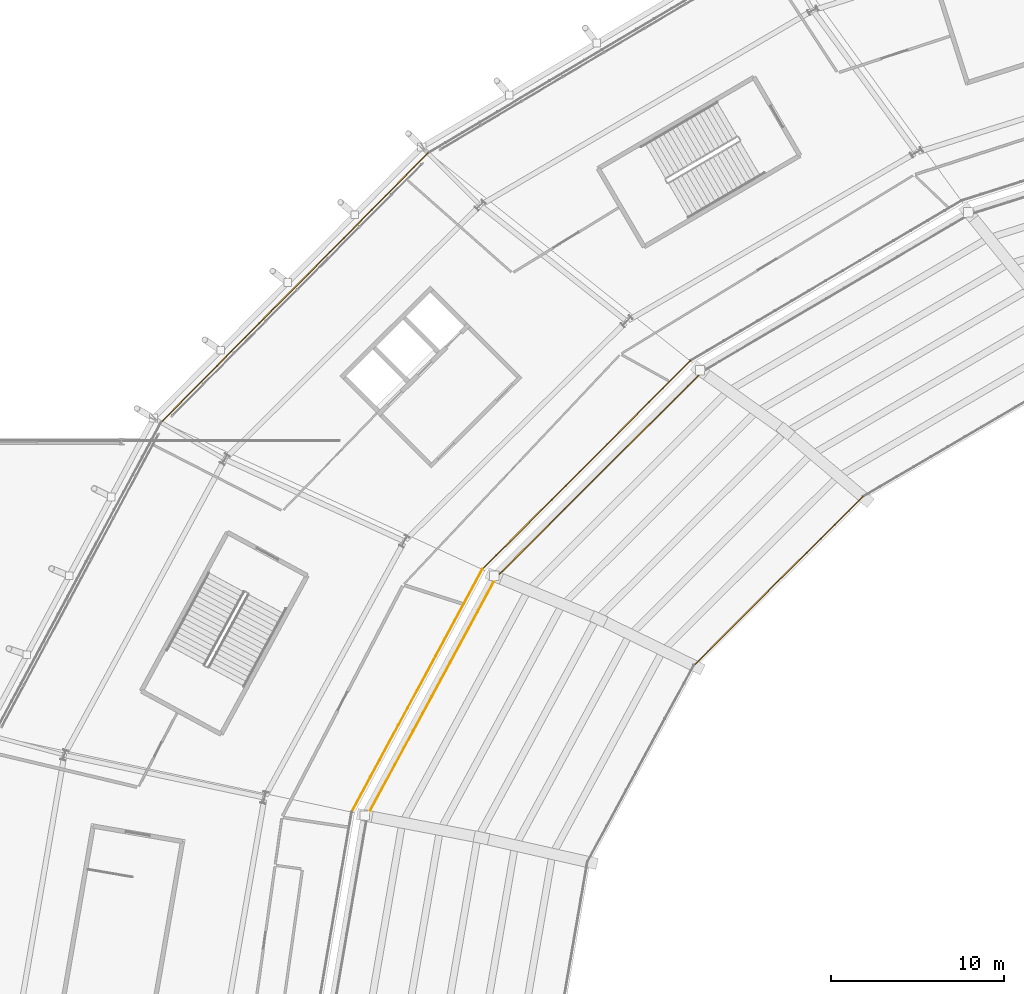
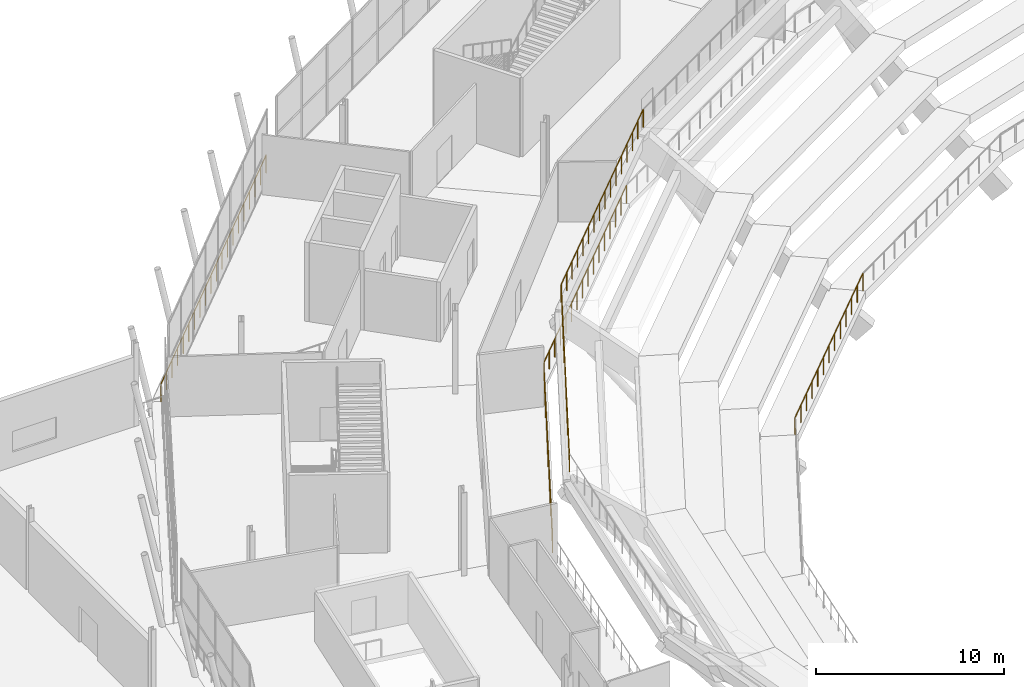
# One storey, part 114 of 126: 6 railings.
"""IFC4 building model written with IfcOpenShell, lengths in metres."""

from ifc_helpers import new_model, si_unit, direction, frame, origin, origin_2d, place, context, subcontext, project, spatial, rectangle, extrude, material, type_object, element, save


model = new_model("IFC4")

# Units and contexts
model_context = context("Model", 3, precision=1e-05, world=origin(), true_north=direction((0.0, 1.0)))
body_context = subcontext(model_context, "Body", "Model", "MODEL_VIEW")
ifc_project = project(units=[si_unit("LENGTHUNIT", "METRE"), si_unit("AREAUNIT", "SQUARE_METRE"), si_unit("VOLUMEUNIT", "CUBIC_METRE"), si_unit("PLANEANGLEUNIT", "RADIAN"), si_unit("MASSUNIT", "GRAM", prefix="KILO")], contexts=[model_context])

# Site, building, storey
site_placement = place(None, origin())
site = spatial("IfcSite", under=ifc_project, at=site_placement, CompositionType="ELEMENT")
building_placement = place(site_placement, origin())
building = spatial("IfcBuilding", under=site, at=building_placement, Name="Zlatoyarsky Gate Stadium", CompositionType="ELEMENT")
storey_placement = place(building_placement, frame((0.0, 0.0, 20.800048828125)))
storey = spatial("IfcBuildingStorey", under=building, at=storey_placement, Name="L04", CompositionType="ELEMENT", Elevation=20.800048828125)

# Railings
ifc_material_1 = material(Name="Galvanised steel sightline guardrail", Category="steel")
railing_type_1 = type_object("IfcRailingType", Name="BOWL FRONT SIGHTLINE GUARDRAIL 1150", PredefinedType="GUARDRAIL", material=ifc_material_1)
railing_1_placement = place(storey_placement, frame((67.406982421875, 113.340087890625, -4.400146484375)))
element("IfcRailing", 1, at=railing_1_placement, inside=storey, type_object=railing_type_1, Name="Upper bowl front guardrail 09", PredefinedType="GUARDRAIL", context=body_context, shape_type="SweptSolid", body=[
    extrude(rectangle(XDim=0.048095703125, YDim=0.048095703125, at=origin_2d()), frame((0.0, 0.0, 1.1259765625), z_axis=(-0.708270682541, -0.705940960884, 0.0), x_axis=(0.705940960884, -0.708270682541, 0.0)), (0.0, 0.0, 1.0), 13.832763671875),
    extrude(rectangle(XDim=0.0419921875, YDim=0.0419921875, at=origin_2d()), origin(), (0.0, 0.0, 1.0), 1.101806640625),
    extrude(rectangle(XDim=0.0419921875, YDim=0.0419921875, at=origin_2d()), frame((-0.81640625, -0.813720703125, 0.0)), (0.0, 0.0, 1.0), 1.101806640625),
    extrude(rectangle(XDim=0.0419921875, YDim=0.0419921875, at=origin_2d()), frame((-1.6328125, -1.62744140625, 0.0)), (0.0, 0.0, 1.0), 1.101806640625),
    extrude(rectangle(XDim=0.0419921875, YDim=0.0419921875, at=origin_2d()), frame((-2.44921875, -2.44140625, 0.0)), (0.0, 0.0, 1.0), 1.101806640625),
    extrude(rectangle(XDim=0.0419921875, YDim=0.0419921875, at=origin_2d()), frame((-3.265869140625, -3.255126953125, 0.0)), (0.0, 0.0, 1.0), 1.101806640625),
    extrude(rectangle(XDim=0.0419921875, YDim=0.0419921875, at=origin_2d()), frame((-4.082275390625, -4.06884765625, 0.0)), (0.0, 0.0, 1.0), 1.101806640625),
    extrude(rectangle(XDim=0.0419921875, YDim=0.0419921875, at=origin_2d()), frame((-4.898681640625, -4.882568359375, 0.0)), (0.0, 0.0, 1.0), 1.101806640625),
    extrude(rectangle(XDim=0.0419921875, YDim=0.0419921875, at=origin_2d()), frame((-5.715087890625, -5.6962890625, 0.0)), (0.0, 0.0, 1.0), 1.101806640625),
    extrude(rectangle(XDim=0.0419921875, YDim=0.0419921875, at=origin_2d()), frame((-6.531494140625, -6.510009765625, 0.0)), (0.0, 0.0, 1.0), 1.101806640625),
    extrude(rectangle(XDim=0.0419921875, YDim=0.0419921875, at=origin_2d()), frame((-7.34814453125, -7.32373046875, 0.0)), (0.0, 0.0, 1.0), 1.101806640625),
    extrude(rectangle(XDim=0.0419921875, YDim=0.0419921875, at=origin_2d()), frame((-8.16455078125, -8.1376953125, 0.0)), (0.0, 0.0, 1.0), 1.101806640625),
    extrude(rectangle(XDim=0.0419921875, YDim=0.0419921875, at=origin_2d()), frame((-8.98095703125, -8.951416015625, 0.0)), (0.0, 0.0, 1.0), 1.101806640625),
    extrude(rectangle(XDim=0.0419921875, YDim=0.0419921875, at=origin_2d()), frame((-9.79736328125, -9.76513671875, 0.0)), (0.0, 0.0, 1.0), 1.101806640625),
])
ifc_material_2 = material(Name="Powder-coated steel tubular guardrail", Category="steel")
railing_type_2 = type_object("IfcRailingType", Name="CONCOURSE SLAB EDGE GUARDRAIL 1200", PredefinedType="GUARDRAIL", material=ifc_material_2)
railing_2_placement = place(storey_placement, frame((58.072998046875, 120.552490234375, 5.099853515625)))
element("IfcRailing", 2, at=railing_2_placement, inside=storey, type_object=railing_type_2, Name="Upper bowl back guardrail 09", PredefinedType="GUARDRAIL", context=body_context, shape_type="SweptSolid", body=[
    extrude(rectangle(XDim=0.048095703125, YDim=0.048095703125, at=origin_2d()), frame((0.0, 0.0, 1.17578125), z_axis=(-0.707629445314, -0.706583730441, 0.0), x_axis=(0.706583730441, -0.707629445314, 0.0)), (0.0, 0.0, 1.0), 16.8095703125),
    extrude(rectangle(XDim=0.0419921875, YDim=0.0419921875, at=origin_2d()), origin(), (0.0, 0.0, 1.0), 1.15185546875),
    extrude(rectangle(XDim=0.0419921875, YDim=0.0419921875, at=origin_2d()), frame((-0.79296875, -0.791748046875, 0.0)), (0.0, 0.0, 1.0), 1.15185546875),
    extrude(rectangle(XDim=0.0419921875, YDim=0.0419921875, at=origin_2d()), frame((-1.5859375, -1.583740234375, 0.0)), (0.0, 0.0, 1.0), 1.15185546875),
    extrude(rectangle(XDim=0.0419921875, YDim=0.0419921875, at=origin_2d()), frame((-2.37890625, -2.37548828125, 0.0)), (0.0, 0.0, 1.0), 1.15185546875),
    extrude(rectangle(XDim=0.0419921875, YDim=0.0419921875, at=origin_2d()), frame((-3.172119140625, -3.167236328125, 0.0)), (0.0, 0.0, 1.0), 1.15185546875),
    extrude(rectangle(XDim=0.0419921875, YDim=0.0419921875, at=origin_2d()), frame((-3.965087890625, -3.959228515625, 0.0)), (0.0, 0.0, 1.0), 1.15185546875),
    extrude(rectangle(XDim=0.0419921875, YDim=0.0419921875, at=origin_2d()), frame((-4.758056640625, -4.7509765625, 0.0)), (0.0, 0.0, 1.0), 1.15185546875),
    extrude(rectangle(XDim=0.0419921875, YDim=0.0419921875, at=origin_2d()), frame((-5.551025390625, -5.542724609375, 0.0)), (0.0, 0.0, 1.0), 1.15185546875),
    extrude(rectangle(XDim=0.0419921875, YDim=0.0419921875, at=origin_2d()), frame((-6.343994140625, -6.334716796875, 0.0)), (0.0, 0.0, 1.0), 1.15185546875),
    extrude(rectangle(XDim=0.0419921875, YDim=0.0419921875, at=origin_2d()), frame((-7.136962890625, -7.12646484375, 0.0)), (0.0, 0.0, 1.0), 1.15185546875),
    extrude(rectangle(XDim=0.0419921875, YDim=0.0419921875, at=origin_2d()), frame((-7.929931640625, -7.918212890625, 0.0)), (0.0, 0.0, 1.0), 1.15185546875),
    extrude(rectangle(XDim=0.0419921875, YDim=0.0419921875, at=origin_2d()), frame((-8.722900390625, -8.710205078125, 0.0)), (0.0, 0.0, 1.0), 1.15185546875),
    extrude(rectangle(XDim=0.0419921875, YDim=0.0419921875, at=origin_2d()), frame((-9.51611328125, -9.501953125, 0.0)), (0.0, 0.0, 1.0), 1.15185546875),
    extrude(rectangle(XDim=0.0419921875, YDim=0.0419921875, at=origin_2d()), frame((-10.30908203125, -10.293701171875, 0.0)), (0.0, 0.0, 1.0), 1.15185546875),
    extrude(rectangle(XDim=0.0419921875, YDim=0.0419921875, at=origin_2d()), frame((-11.10205078125, -11.085693359375, 0.0)), (0.0, 0.0, 1.0), 1.15185546875),
    extrude(rectangle(XDim=0.0419921875, YDim=0.0419921875, at=origin_2d()), frame((-11.89501953125, -11.87744140625, 0.0)), (0.0, 0.0, 1.0), 1.15185546875),
])
railing_3_placement = place(storey_placement, frame((57.415283203125, 121.210205078125, 0.0)))
element("IfcRailing", 3, at=railing_3_placement, inside=storey, type_object=railing_type_2, Name="L04 inner bowl edge guardrail 09", PredefinedType="GUARDRAIL", context=body_context, shape_type="SweptSolid", body=[
    extrude(rectangle(XDim=0.048095703125, YDim=0.048095703125, at=origin_2d()), frame((0.0, 0.0, 1.17578125), z_axis=(-0.706297313219, -0.707915323566, 0.0), x_axis=(0.707915323566, -0.706297313219, 0.0)), (0.0, 0.0, 1.0), 17.050537109375),
    extrude(rectangle(XDim=0.0419921875, YDim=0.0419921875, at=origin_2d()), origin(), (0.0, 0.0, 1.0), 1.15185546875),
    extrude(rectangle(XDim=0.0419921875, YDim=0.0419921875, at=origin_2d()), frame((-0.802734375, -0.8046875, 0.0)), (0.0, 0.0, 1.0), 1.15185546875),
    extrude(rectangle(XDim=0.0419921875, YDim=0.0419921875, at=origin_2d()), frame((-1.605712890625, -1.609375, 0.0)), (0.0, 0.0, 1.0), 1.15185546875),
    extrude(rectangle(XDim=0.0419921875, YDim=0.0419921875, at=origin_2d()), frame((-2.408447265625, -2.4140625, 0.0)), (0.0, 0.0, 1.0), 1.15185546875),
    extrude(rectangle(XDim=0.0419921875, YDim=0.0419921875, at=origin_2d()), frame((-3.21142578125, -3.21875, 0.0)), (0.0, 0.0, 1.0), 1.15185546875),
    extrude(rectangle(XDim=0.0419921875, YDim=0.0419921875, at=origin_2d()), frame((-4.01416015625, -4.0234375, 0.0)), (0.0, 0.0, 1.0), 1.15185546875),
    extrude(rectangle(XDim=0.0419921875, YDim=0.0419921875, at=origin_2d()), frame((-4.817138671875, -4.828125, 0.0)), (0.0, 0.0, 1.0), 1.15185546875),
    extrude(rectangle(XDim=0.0419921875, YDim=0.0419921875, at=origin_2d()), frame((-5.619873046875, -5.6328125, 0.0)), (0.0, 0.0, 1.0), 1.15185546875),
    extrude(rectangle(XDim=0.0419921875, YDim=0.0419921875, at=origin_2d()), frame((-6.4228515625, -6.4375, 0.0)), (0.0, 0.0, 1.0), 1.15185546875),
    extrude(rectangle(XDim=0.0419921875, YDim=0.0419921875, at=origin_2d()), frame((-7.2255859375, -7.2421875, 0.0)), (0.0, 0.0, 1.0), 1.15185546875),
    extrude(rectangle(XDim=0.0419921875, YDim=0.0419921875, at=origin_2d()), frame((-8.028564453125, -8.046875, 0.0)), (0.0, 0.0, 1.0), 1.15185546875),
    extrude(rectangle(XDim=0.0419921875, YDim=0.0419921875, at=origin_2d()), frame((-8.831298828125, -8.8515625, 0.0)), (0.0, 0.0, 1.0), 1.15185546875),
    extrude(rectangle(XDim=0.0419921875, YDim=0.0419921875, at=origin_2d()), frame((-9.63427734375, -9.65625, 0.0)), (0.0, 0.0, 1.0), 1.15185546875),
    extrude(rectangle(XDim=0.0419921875, YDim=0.0419921875, at=origin_2d()), frame((-10.43701171875, -10.4609375, 0.0)), (0.0, 0.0, 1.0), 1.15185546875),
    extrude(rectangle(XDim=0.0419921875, YDim=0.0419921875, at=origin_2d()), frame((-11.239990234375, -11.265625, 0.0)), (0.0, 0.0, 1.0), 1.15185546875),
    extrude(rectangle(XDim=0.0419921875, YDim=0.0419921875, at=origin_2d()), frame((-12.042724609375, -12.0703125, 0.0)), (0.0, 0.0, 1.0), 1.15185546875),
])
railing_4_placement = place(storey_placement, frame((46.177978515625, 108.675048828125, 5.099853515625)))
element("IfcRailing", 4, at=railing_4_placement, inside=storey, type_object=railing_type_2, Name="Upper bowl back guardrail 10", PredefinedType="GUARDRAIL", context=body_context, shape_type="SweptSolid", body=[
    extrude(rectangle(XDim=0.048095703125, YDim=0.048095703125, at=origin_2d()), frame((0.0, 0.0, 1.17578125), z_axis=(-0.475561201038, -0.879682638266, 0.0), x_axis=(0.879682638266, -0.475561201038, 0.0)), (0.0, 0.0, 1.0), 15.7236328125),
    extrude(rectangle(XDim=0.0419921875, YDim=0.0419921875, at=origin_2d()), origin(), (0.0, 0.0, 1.0), 1.15185546875),
    extrude(rectangle(XDim=0.0419921875, YDim=0.0419921875, at=origin_2d()), frame((-0.5341796875, -0.988037109375, 0.0)), (0.0, 0.0, 1.0), 1.15185546875),
    extrude(rectangle(XDim=0.0419921875, YDim=0.0419921875, at=origin_2d()), frame((-1.068115234375, -1.97607421875, 0.0)), (0.0, 0.0, 1.0), 1.15185546875),
    extrude(rectangle(XDim=0.0419921875, YDim=0.0419921875, at=origin_2d()), frame((-1.602294921875, -2.9638671875, 0.0)), (0.0, 0.0, 1.0), 1.15185546875),
    extrude(rectangle(XDim=0.0419921875, YDim=0.0419921875, at=origin_2d()), frame((-2.136474609375, -3.951904296875, 0.0)), (0.0, 0.0, 1.0), 1.15185546875),
    extrude(rectangle(XDim=0.0419921875, YDim=0.0419921875, at=origin_2d()), frame((-2.670654296875, -4.93994140625, 0.0)), (0.0, 0.0, 1.0), 1.15185546875),
    extrude(rectangle(XDim=0.0419921875, YDim=0.0419921875, at=origin_2d()), frame((-3.20458984375, -5.927978515625, 0.0)), (0.0, 0.0, 1.0), 1.15185546875),
    extrude(rectangle(XDim=0.0419921875, YDim=0.0419921875, at=origin_2d()), frame((-3.73876953125, -6.916015625, 0.0)), (0.0, 0.0, 1.0), 1.15185546875),
    extrude(rectangle(XDim=0.0419921875, YDim=0.0419921875, at=origin_2d()), frame((-4.27294921875, -7.90380859375, 0.0)), (0.0, 0.0, 1.0), 1.15185546875),
    extrude(rectangle(XDim=0.0419921875, YDim=0.0419921875, at=origin_2d()), frame((-4.806884765625, -8.891845703125, 0.0)), (0.0, 0.0, 1.0), 1.15185546875),
    extrude(rectangle(XDim=0.0419921875, YDim=0.0419921875, at=origin_2d()), frame((-5.341064453125, -9.8798828125, 0.0)), (0.0, 0.0, 1.0), 1.15185546875),
    extrude(rectangle(XDim=0.0419921875, YDim=0.0419921875, at=origin_2d()), frame((-5.875244140625, -10.867919921875, 0.0)), (0.0, 0.0, 1.0), 1.15185546875),
    extrude(rectangle(XDim=0.0419921875, YDim=0.0419921875, at=origin_2d()), frame((-6.409423828125, -11.855712890625, 0.0)), (0.0, 0.0, 1.0), 1.15185546875),
    extrude(rectangle(XDim=0.0419921875, YDim=0.0419921875, at=origin_2d()), frame((-6.943359375, -12.84375, 0.0)), (0.0, 0.0, 1.0), 1.15185546875),
    extrude(rectangle(XDim=0.0419921875, YDim=0.0419921875, at=origin_2d()), frame((-7.4775390625, -13.831787109375, 0.0)), (0.0, 0.0, 1.0), 1.15185546875),
])
railing_5_placement = place(storey_placement, frame((45.37255859375, 109.139892578125, 0.0)))
element("IfcRailing", 5, at=railing_5_placement, inside=storey, type_object=railing_type_2, Name="L04 inner bowl edge guardrail 10", PredefinedType="GUARDRAIL", context=body_context, shape_type="SweptSolid", body=[
    extrude(rectangle(XDim=0.048095703125, YDim=0.048095703125, at=origin_2d()), frame((0.0, 0.0, 1.17578125), z_axis=(-0.474196483851, -0.880419044946, 0.0), x_axis=(0.880419044946, -0.474196483851, 0.0)), (0.0, 0.0, 1.0), 15.965087890625),
    extrude(rectangle(XDim=0.0419921875, YDim=0.0419921875, at=origin_2d()), origin(), (0.0, 0.0, 1.0), 1.15185546875),
    extrude(rectangle(XDim=0.0419921875, YDim=0.0419921875, at=origin_2d()), frame((-0.540771484375, -1.00390625, 0.0)), (0.0, 0.0, 1.0), 1.15185546875),
    extrude(rectangle(XDim=0.0419921875, YDim=0.0419921875, at=origin_2d()), frame((-1.08154296875, -2.008056640625, 0.0)), (0.0, 0.0, 1.0), 1.15185546875),
    extrude(rectangle(XDim=0.0419921875, YDim=0.0419921875, at=origin_2d()), frame((-1.622314453125, -3.011962890625, 0.0)), (0.0, 0.0, 1.0), 1.15185546875),
    extrude(rectangle(XDim=0.0419921875, YDim=0.0419921875, at=origin_2d()), frame((-2.1630859375, -4.015869140625, 0.0)), (0.0, 0.0, 1.0), 1.15185546875),
    extrude(rectangle(XDim=0.0419921875, YDim=0.0419921875, at=origin_2d()), frame((-2.703857421875, -5.02001953125, 0.0)), (0.0, 0.0, 1.0), 1.15185546875),
    extrude(rectangle(XDim=0.0419921875, YDim=0.0419921875, at=origin_2d()), frame((-3.24462890625, -6.02392578125, 0.0)), (0.0, 0.0, 1.0), 1.15185546875),
    extrude(rectangle(XDim=0.0419921875, YDim=0.0419921875, at=origin_2d()), frame((-3.78515625, -7.02783203125, 0.0)), (0.0, 0.0, 1.0), 1.15185546875),
    extrude(rectangle(XDim=0.0419921875, YDim=0.0419921875, at=origin_2d()), frame((-4.325927734375, -8.031982421875, 0.0)), (0.0, 0.0, 1.0), 1.15185546875),
    extrude(rectangle(XDim=0.0419921875, YDim=0.0419921875, at=origin_2d()), frame((-4.86669921875, -9.035888671875, 0.0)), (0.0, 0.0, 1.0), 1.15185546875),
    extrude(rectangle(XDim=0.0419921875, YDim=0.0419921875, at=origin_2d()), frame((-5.407470703125, -10.0400390625, 0.0)), (0.0, 0.0, 1.0), 1.15185546875),
    extrude(rectangle(XDim=0.0419921875, YDim=0.0419921875, at=origin_2d()), frame((-5.9482421875, -11.0439453125, 0.0)), (0.0, 0.0, 1.0), 1.15185546875),
    extrude(rectangle(XDim=0.0419921875, YDim=0.0419921875, at=origin_2d()), frame((-6.489013671875, -12.0478515625, 0.0)), (0.0, 0.0, 1.0), 1.15185546875),
    extrude(rectangle(XDim=0.0419921875, YDim=0.0419921875, at=origin_2d()), frame((-7.02978515625, -13.052001953125, 0.0)), (0.0, 0.0, 1.0), 1.15185546875),
    extrude(rectangle(XDim=0.0419921875, YDim=0.0419921875, at=origin_2d()), frame((-7.570556640625, -14.055908203125, 0.0)), (0.0, 0.0, 1.0), 1.15185546875),
])
railing_6_placement = place(storey_placement, frame((42.219970703125, 133.2236328125, 0.0)))
element("IfcRailing", 6, at=railing_6_placement, inside=storey, type_object=railing_type_2, Name="L04 outer slab edge guardrail 09", PredefinedType="GUARDRAIL", context=body_context, shape_type="SweptSolid", body=[
    extrude(rectangle(XDim=0.048095703125, YDim=0.048095703125, at=origin_2d()), frame((0.0, 0.0, 1.17578125), z_axis=(-0.704114537309, -0.710086416114, 0.0), x_axis=(0.710086416114, -0.704114537309, 0.0)), (0.0, 0.0, 1.0), 21.953369140625),
    extrude(rectangle(XDim=0.0419921875, YDim=0.0419921875, at=origin_2d()), origin(), (0.0, 0.0, 1.0), 1.15185546875),
    extrude(rectangle(XDim=0.0419921875, YDim=0.0419921875, at=origin_2d()), frame((-0.8134765625, -0.820556640625, 0.0)), (0.0, 0.0, 1.0), 1.15185546875),
    extrude(rectangle(XDim=0.0419921875, YDim=0.0419921875, at=origin_2d()), frame((-1.627197265625, -1.640869140625, 0.0)), (0.0, 0.0, 1.0), 1.15185546875),
    extrude(rectangle(XDim=0.0419921875, YDim=0.0419921875, at=origin_2d()), frame((-2.440673828125, -2.46142578125, 0.0)), (0.0, 0.0, 1.0), 1.15185546875),
    extrude(rectangle(XDim=0.0419921875, YDim=0.0419921875, at=origin_2d()), frame((-3.254150390625, -3.281982421875, 0.0)), (0.0, 0.0, 1.0), 1.15185546875),
    extrude(rectangle(XDim=0.0419921875, YDim=0.0419921875, at=origin_2d()), frame((-4.06787109375, -4.102294921875, 0.0)), (0.0, 0.0, 1.0), 1.15185546875),
    extrude(rectangle(XDim=0.0419921875, YDim=0.0419921875, at=origin_2d()), frame((-4.88134765625, -4.9228515625, 0.0)), (0.0, 0.0, 1.0), 1.15185546875),
    extrude(rectangle(XDim=0.0419921875, YDim=0.0419921875, at=origin_2d()), frame((-5.695068359375, -5.7431640625, 0.0)), (0.0, 0.0, 1.0), 1.15185546875),
    extrude(rectangle(XDim=0.0419921875, YDim=0.0419921875, at=origin_2d()), frame((-6.508544921875, -6.563720703125, 0.0)), (0.0, 0.0, 1.0), 1.15185546875),
    extrude(rectangle(XDim=0.0419921875, YDim=0.0419921875, at=origin_2d()), frame((-7.322021484375, -7.38427734375, 0.0)), (0.0, 0.0, 1.0), 1.15185546875),
    extrude(rectangle(XDim=0.0419921875, YDim=0.0419921875, at=origin_2d()), frame((-8.1357421875, -8.20458984375, 0.0)), (0.0, 0.0, 1.0), 1.15185546875),
    extrude(rectangle(XDim=0.0419921875, YDim=0.0419921875, at=origin_2d()), frame((-8.94921875, -9.025146484375, 0.0)), (0.0, 0.0, 1.0), 1.15185546875),
    extrude(rectangle(XDim=0.0419921875, YDim=0.0419921875, at=origin_2d()), frame((-9.7626953125, -9.845703125, 0.0)), (0.0, 0.0, 1.0), 1.15185546875),
    extrude(rectangle(XDim=0.0419921875, YDim=0.0419921875, at=origin_2d()), frame((-10.576416015625, -10.666015625, 0.0)), (0.0, 0.0, 1.0), 1.15185546875),
    extrude(rectangle(XDim=0.0419921875, YDim=0.0419921875, at=origin_2d()), frame((-11.389892578125, -11.486572265625, 0.0)), (0.0, 0.0, 1.0), 1.15185546875),
    extrude(rectangle(XDim=0.0419921875, YDim=0.0419921875, at=origin_2d()), frame((-12.20361328125, -12.306884765625, 0.0)), (0.0, 0.0, 1.0), 1.15185546875),
    extrude(rectangle(XDim=0.0419921875, YDim=0.0419921875, at=origin_2d()), frame((-13.01708984375, -13.12744140625, 0.0)), (0.0, 0.0, 1.0), 1.15185546875),
    extrude(rectangle(XDim=0.0419921875, YDim=0.0419921875, at=origin_2d()), frame((-13.83056640625, -13.947998046875, 0.0)), (0.0, 0.0, 1.0), 1.15185546875),
    extrude(rectangle(XDim=0.0419921875, YDim=0.0419921875, at=origin_2d()), frame((-14.644287109375, -14.768310546875, 0.0)), (0.0, 0.0, 1.0), 1.15185546875),
    extrude(rectangle(XDim=0.0419921875, YDim=0.0419921875, at=origin_2d()), frame((-15.457763671875, -15.5888671875, 0.0)), (0.0, 0.0, 1.0), 1.15185546875),
])

save(model, "model.ifc")
